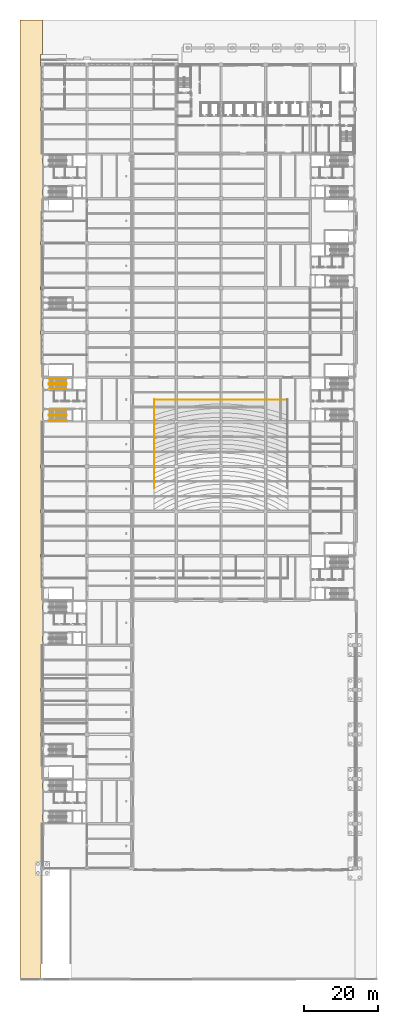
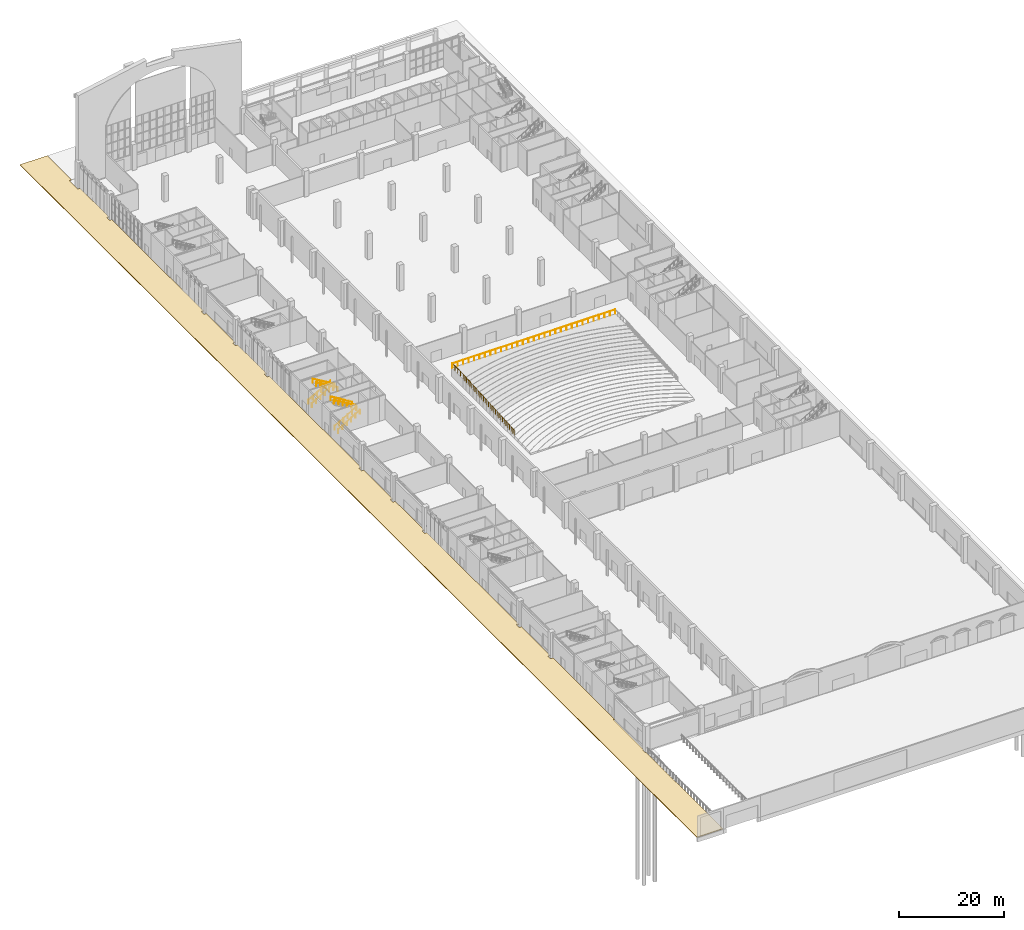
# One storey, part 55 of 59: 10 railings, 1 covering.
"""IFC4 building model written with IfcOpenShell, lengths in metres."""

from ifc_helpers import new_model, si_unit, direction, frame, origin, origin_2d, place, context, subcontext, project, spatial, polyline, circle, outline, extrude, material, layer, layer_set, type_object, element, save


model = new_model("IFC4")

# Units and contexts
model_context = context("Model", 3, precision=1e-05, world=origin(), true_north=direction((0.0, 1.0)))
body_context = subcontext(model_context, "Body", "Model", "MODEL_VIEW")
ifc_project = project(units=[si_unit("LENGTHUNIT", "METRE"), si_unit("AREAUNIT", "SQUARE_METRE"), si_unit("VOLUMEUNIT", "CUBIC_METRE"), si_unit("PLANEANGLEUNIT", "RADIAN"), si_unit("MASSUNIT", "GRAM", prefix="KILO")], contexts=[model_context])

# Site, building, storey
site_placement = place(None, origin())
site = spatial("IfcSite", under=ifc_project, at=site_placement, CompositionType="ELEMENT")
building_placement = place(site_placement, origin())
building = spatial("IfcBuilding", under=site, at=building_placement, Name="Lilac Gate Convention Centre", CompositionType="ELEMENT")
storey_placement = place(building_placement, origin())
storey = spatial("IfcBuildingStorey", under=building, at=storey_placement, Name="L00", CompositionType="ELEMENT", Elevation=0.0)

# Covering
ifc_material_1 = material(Name="Concrete C30", Category="concrete")
ifc_layer = layer(ifc_material_1, 0.14990234375)
ifc_layer_set = layer_set([ifc_layer], Name="Concrete C30")
covering_type = type_object("IfcCoveringType", Name="Paving slab 150", PredefinedType="FLOORING", material=ifc_layer_set)
covering_placement = place(storey_placement, frame((0.0, 0.0, -0.14990234375)))
element("IfcCovering", 1, at=covering_placement, inside=storey, type_object=covering_type, Name="Lane paving west 1", PredefinedType="FLOORING", context=body_context, shape_type="SweptSolid", body=[
    extrude(outline(polyline([(6.0, 42.0), (5.699951171875, 42.0), (5.699951171875, 30.5), (5.5, 30.5), (5.5, 29.5), (5.699951171875, 29.5), (5.699951171875, 0.304931640625), (0.0, 0.304931640625), (0.0, 258.0), (6.0, 258.0), (6.0, 248.699951171875), (5.5, 248.699951171875), (5.5, 245.5), (6.0, 245.5), (6.0, 234.5), (5.5, 234.5), (5.5, 233.5), (6.0, 233.5), (6.0, 198.5), (5.5, 198.5), (5.5, 197.5), (6.0, 197.5), (6.0, 186.5), (5.5, 186.5), (5.5, 185.5), (6.0, 185.5), (6.0, 174.5), (5.5, 174.5), (5.5, 173.5), (6.0, 173.5), (6.0, 138.5), (5.5, 138.5), (5.5, 137.5), (6.0, 137.5), (6.0, 126.5), (5.5, 126.5), (5.5, 125.5), (6.0, 125.5), (6.0, 114.5), (5.5, 114.5), (5.5, 113.5), (6.0, 113.5), (6.0, 78.5), (5.5, 78.5), (5.5, 77.5), (6.0, 77.5), (6.0, 66.5), (5.5, 66.5), (5.5, 65.5), (6.0, 65.5), (6.0, 42.0)])), origin(), (0.0, 0.0, 1.0), 0.14990234375),
])

# Railings
ifc_material_2 = material(Name="Stainless steel 304", Category="steel")
railing_type_1 = type_object("IfcRailingType", Name="Stair handrail 900", PredefinedType="HANDRAIL", material=ifc_material_2)
for number, where, name in (
    (2, (7.800048828125, 150.35009765625, 0.166748046875), "Stair handrail W3A"),
    (3, (7.800048828125, 151.64990234375, 0.166748046875), "Stair handrail W3A"),
):
    element("IfcRailing", number, at=place(storey_placement, frame(where)), inside=storey, type_object=railing_type_1, Name=name, PredefinedType="HANDRAIL", context=body_context, shape_type="SweptSolid", body=[
        extrude(circle(Radius=0.02392578125, at=origin_2d()), frame((0.0, 0.0, 0.8759765625), z_axis=(0.859299802514, 0.0, 0.511472237174), x_axis=(0.0, 1.0, 0.0)), (0.0, 0.0, 1.0), 5.539306640625),
        extrude(circle(Radius=0.02099609375, at=origin_2d()), origin(), (0.0, 0.0, 1.0), 0.851806640625),
        extrude(circle(Radius=0.02099609375, at=origin_2d()), frame((0.951904296875, 0.0, 0.566650390625)), (0.0, 0.0, 1.0), 0.851806640625),
        extrude(circle(Radius=0.02099609375, at=origin_2d()), frame((1.904052734375, 0.0, 1.13330078125)), (0.0, 0.0, 1.0), 0.851806640625),
        extrude(circle(Radius=0.02099609375, at=origin_2d()), frame((2.85595703125, 0.0, 1.699951171875)), (0.0, 0.0, 1.0), 0.851806640625),
        extrude(circle(Radius=0.02099609375, at=origin_2d()), frame((3.80810546875, 0.0, 2.2666015625)), (0.0, 0.0, 1.0), 0.851806640625),
        extrude(circle(Radius=0.02099609375, at=origin_2d()), frame((4.760009765625, 0.0, 2.833251953125)), (0.0, 0.0, 1.0), 0.851806640625),
    ])
for number, where, name in (
    (4, (12.56005859375, 151.949951171875, 3.166748046875), "Stair handrail W3A"),
    (5, (12.56005859375, 153.25, 3.166748046875), "Stair handrail W3A"),
):
    element("IfcRailing", number, at=place(storey_placement, frame(where)), inside=storey, type_object=railing_type_1, Name=name, PredefinedType="HANDRAIL", context=body_context, shape_type="SweptSolid", body=[
        extrude(circle(Radius=0.02392578125, at=origin_2d()), frame((0.0, 0.0, 0.8759765625), z_axis=(-0.859299802514, 0.0, 0.511472237174), x_axis=(0.0, -1.0, 0.0)), (0.0, 0.0, 1.0), 5.539306640625),
        extrude(circle(Radius=0.02099609375, at=origin_2d()), origin(), (0.0, 0.0, 1.0), 0.851806640625),
        extrude(circle(Radius=0.02099609375, at=origin_2d()), frame((-0.951904296875, 0.0, 0.566650390625)), (0.0, 0.0, 1.0), 0.851806640625),
        extrude(circle(Radius=0.02099609375, at=origin_2d()), frame((-1.904052734375, 0.0, 1.13330078125)), (0.0, 0.0, 1.0), 0.851806640625),
        extrude(circle(Radius=0.02099609375, at=origin_2d()), frame((-2.85595703125, 0.0, 1.699951171875)), (0.0, 0.0, 1.0), 0.851806640625),
        extrude(circle(Radius=0.02099609375, at=origin_2d()), frame((-3.80810546875, 0.0, 2.2666015625)), (0.0, 0.0, 1.0), 0.851806640625),
        extrude(circle(Radius=0.02099609375, at=origin_2d()), frame((-4.760009765625, 0.0, 2.833251953125)), (0.0, 0.0, 1.0), 0.851806640625),
    ])
for number, where, name in (
    (6, (7.800048828125, 160.35009765625, 0.166748046875), "Stair handrail W3B"),
    (7, (7.800048828125, 161.64990234375, 0.166748046875), "Stair handrail W3B"),
):
    element("IfcRailing", number, at=place(storey_placement, frame(where)), inside=storey, type_object=railing_type_1, Name=name, PredefinedType="HANDRAIL", context=body_context, shape_type="SweptSolid", body=[
        extrude(circle(Radius=0.02392578125, at=origin_2d()), frame((0.0, 0.0, 0.8759765625), z_axis=(0.859299802514, 0.0, 0.511472237174), x_axis=(0.0, 1.0, 0.0)), (0.0, 0.0, 1.0), 5.539306640625),
        extrude(circle(Radius=0.02099609375, at=origin_2d()), origin(), (0.0, 0.0, 1.0), 0.851806640625),
        extrude(circle(Radius=0.02099609375, at=origin_2d()), frame((0.951904296875, 0.0, 0.566650390625)), (0.0, 0.0, 1.0), 0.851806640625),
        extrude(circle(Radius=0.02099609375, at=origin_2d()), frame((1.904052734375, 0.0, 1.13330078125)), (0.0, 0.0, 1.0), 0.851806640625),
        extrude(circle(Radius=0.02099609375, at=origin_2d()), frame((2.85595703125, 0.0, 1.699951171875)), (0.0, 0.0, 1.0), 0.851806640625),
        extrude(circle(Radius=0.02099609375, at=origin_2d()), frame((3.80810546875, 0.0, 2.2666015625)), (0.0, 0.0, 1.0), 0.851806640625),
        extrude(circle(Radius=0.02099609375, at=origin_2d()), frame((4.760009765625, 0.0, 2.833251953125)), (0.0, 0.0, 1.0), 0.851806640625),
    ])
for number, where, name in (
    (8, (12.56005859375, 158.75, 3.166748046875), "Stair handrail W3B"),
    (9, (12.56005859375, 160.050048828125, 3.166748046875), "Stair handrail W3B"),
):
    element("IfcRailing", number, at=place(storey_placement, frame(where)), inside=storey, type_object=railing_type_1, Name=name, PredefinedType="HANDRAIL", context=body_context, shape_type="SweptSolid", body=[
        extrude(circle(Radius=0.02392578125, at=origin_2d()), frame((0.0, 0.0, 0.8759765625), z_axis=(-0.859299802514, 0.0, 0.511472237174), x_axis=(0.0, -1.0, 0.0)), (0.0, 0.0, 1.0), 5.539306640625),
        extrude(circle(Radius=0.02099609375, at=origin_2d()), origin(), (0.0, 0.0, 1.0), 0.851806640625),
        extrude(circle(Radius=0.02099609375, at=origin_2d()), frame((-0.951904296875, 0.0, 0.566650390625)), (0.0, 0.0, 1.0), 0.851806640625),
        extrude(circle(Radius=0.02099609375, at=origin_2d()), frame((-1.904052734375, 0.0, 1.13330078125)), (0.0, 0.0, 1.0), 0.851806640625),
        extrude(circle(Radius=0.02099609375, at=origin_2d()), frame((-2.85595703125, 0.0, 1.699951171875)), (0.0, 0.0, 1.0), 0.851806640625),
        extrude(circle(Radius=0.02099609375, at=origin_2d()), frame((-3.80810546875, 0.0, 2.2666015625)), (0.0, 0.0, 1.0), 0.851806640625),
        extrude(circle(Radius=0.02099609375, at=origin_2d()), frame((-4.760009765625, 0.0, 2.833251953125)), (0.0, 0.0, 1.0), 0.851806640625),
    ])
ifc_material_3 = material(Name="Steel Q355B", Category="steel")
railing_type_2 = type_object("IfcRailingType", Name="Stalls guard 1100", PredefinedType="GUARDRAIL", material=ifc_material_3)
railing_1_placement = place(storey_placement, frame((36.10009765625, 132.1416015625, 0.800048828125)))
element("IfcRailing", 10, at=railing_1_placement, inside=storey, type_object=railing_type_2, Name="GD1 stalls west guard", PredefinedType="GUARDRAIL", context=body_context, shape_type="SweptSolid", body=[
    extrude(circle(Radius=0.02392578125, at=origin_2d()), frame((0.0, 0.0, 1.076171875), z_axis=(0.0, 1.0, 0.0), x_axis=(-1.0, 0.0, 0.0)), (0.0, 0.0, 1.0), 1.3779296875),
    extrude(circle(Radius=0.02392578125, at=origin_2d()), frame((0.0, 1.3779296875, 1.076171875), z_axis=(0.0, 0.0, 1.0), x_axis=(1.0, 0.0, 0.0)), (0.0, 0.0, 1.0), 0.079833984375),
    extrude(circle(Radius=0.02392578125, at=origin_2d()), frame((0.0, 1.3779296875, 1.15576171875), z_axis=(0.0, 1.0, 0.0), x_axis=(-1.0, 0.0, 0.0)), (0.0, 0.0, 1.0), 1.343017578125),
    extrude(circle(Radius=0.02392578125, at=origin_2d()), frame((0.0, 2.720947265625, 1.15576171875), z_axis=(0.0, 0.0, 1.0), x_axis=(1.0, 0.0, 0.0)), (0.0, 0.0, 1.0), 0.080078125),
    extrude(circle(Radius=0.02392578125, at=origin_2d()), frame((0.0, 2.720947265625, 1.23583984375), z_axis=(0.0, 1.0, 0.0), x_axis=(-1.0, 0.0, 0.0)), (0.0, 0.0, 1.0), 1.343017578125),
    extrude(circle(Radius=0.02392578125, at=origin_2d()), frame((0.0, 4.06396484375, 1.23583984375), z_axis=(0.0, 0.0, 1.0), x_axis=(1.0, 0.0, 0.0)), (0.0, 0.0, 1.0), 0.080078125),
    extrude(circle(Radius=0.02392578125, at=origin_2d()), frame((0.0, 4.06396484375, 1.31591796875), z_axis=(0.0, 1.0, 0.0), x_axis=(-1.0, 0.0, 0.0)), (0.0, 0.0, 1.0), 1.34326171875),
    extrude(circle(Radius=0.02392578125, at=origin_2d()), frame((0.0, 5.4072265625, 1.31591796875), z_axis=(0.0, 0.0, 1.0), x_axis=(1.0, 0.0, 0.0)), (0.0, 0.0, 1.0), 0.080078125),
    extrude(circle(Radius=0.02392578125, at=origin_2d()), frame((0.0, 5.4072265625, 1.39599609375), z_axis=(0.0, 1.0, 0.0), x_axis=(-1.0, 0.0, 0.0)), (0.0, 0.0, 1.0), 1.31884765625),
    extrude(circle(Radius=0.02392578125, at=origin_2d()), frame((0.0, 6.72607421875, 1.39599609375), z_axis=(0.0, 0.0, 1.0), x_axis=(1.0, 0.0, 0.0)), (0.0, 0.0, 1.0), 0.079833984375),
    extrude(circle(Radius=0.02392578125, at=origin_2d()), frame((0.0, 6.72607421875, 1.47607421875), z_axis=(0.0, 1.0, 0.0), x_axis=(-1.0, 0.0, 0.0)), (0.0, 0.0, 1.0), 1.312255859375),
    extrude(circle(Radius=0.02392578125, at=origin_2d()), frame((0.0, 8.038330078125, 1.47607421875), z_axis=(0.0, 0.0, 1.0), x_axis=(1.0, 0.0, 0.0)), (0.0, 0.0, 1.0), 0.080078125),
    extrude(circle(Radius=0.02392578125, at=origin_2d()), frame((0.0, 8.038330078125, 1.55615234375), z_axis=(0.0, 1.0, 0.0), x_axis=(-1.0, 0.0, 0.0)), (0.0, 0.0, 1.0), 1.312255859375),
    extrude(circle(Radius=0.02392578125, at=origin_2d()), frame((0.0, 9.3505859375, 1.55615234375), z_axis=(0.0, 0.0, 1.0), x_axis=(1.0, 0.0, 0.0)), (0.0, 0.0, 1.0), 0.080078125),
    extrude(circle(Radius=0.02392578125, at=origin_2d()), frame((0.0, 9.3505859375, 1.63623046875), z_axis=(0.0, 1.0, 0.0), x_axis=(-1.0, 0.0, 0.0)), (0.0, 0.0, 1.0), 1.312255859375),
    extrude(circle(Radius=0.02392578125, at=origin_2d()), frame((0.0, 10.662841796875, 1.63623046875), z_axis=(0.0, 0.0, 1.0), x_axis=(1.0, 0.0, 0.0)), (0.0, 0.0, 1.0), 0.079833984375),
    extrude(circle(Radius=0.02392578125, at=origin_2d()), frame((0.0, 10.662841796875, 1.7158203125), z_axis=(0.0, 1.0, 0.0), x_axis=(-1.0, 0.0, 0.0)), (0.0, 0.0, 1.0), 1.2939453125),
    extrude(circle(Radius=0.02392578125, at=origin_2d()), frame((0.0, 11.956787109375, 1.7158203125), z_axis=(0.0, 0.0, 1.0), x_axis=(1.0, 0.0, 0.0)), (0.0, 0.0, 1.0), 0.080078125),
    extrude(circle(Radius=0.02392578125, at=origin_2d()), frame((0.0, 11.956787109375, 1.7958984375), z_axis=(0.0, 1.0, 0.0), x_axis=(-1.0, 0.0, 0.0)), (0.0, 0.0, 1.0), 1.285888671875),
    extrude(circle(Radius=0.02392578125, at=origin_2d()), frame((0.0, 13.24267578125, 1.7958984375), z_axis=(0.0, 0.0, 1.0), x_axis=(1.0, 0.0, 0.0)), (0.0, 0.0, 1.0), 0.080078125),
    extrude(circle(Radius=0.02392578125, at=origin_2d()), frame((0.0, 13.24267578125, 1.8759765625), z_axis=(0.0, 1.0, 0.0), x_axis=(-1.0, 0.0, 0.0)), (0.0, 0.0, 1.0), 1.285888671875),
    extrude(circle(Radius=0.02392578125, at=origin_2d()), frame((0.0, 14.528564453125, 1.8759765625), z_axis=(0.0, 0.0, 1.0), x_axis=(1.0, 0.0, 0.0)), (0.0, 0.0, 1.0), 0.079833984375),
    extrude(circle(Radius=0.02392578125, at=origin_2d()), frame((0.0, 14.528564453125, 1.9560546875), z_axis=(0.0, 1.0, 0.0), x_axis=(-1.0, 0.0, 0.0)), (0.0, 0.0, 1.0), 1.28564453125),
    extrude(circle(Radius=0.02392578125, at=origin_2d()), frame((0.0, 15.814208984375, 1.9560546875), z_axis=(0.0, 0.0, 1.0), x_axis=(1.0, 0.0, 0.0)), (0.0, 0.0, 1.0), 0.080078125),
    extrude(circle(Radius=0.02392578125, at=origin_2d()), frame((0.0, 15.814208984375, 2.0361328125), z_axis=(0.0, 1.0, 0.0), x_axis=(-1.0, 0.0, 0.0)), (0.0, 0.0, 1.0), 1.285888671875),
    extrude(circle(Radius=0.02392578125, at=origin_2d()), frame((0.0, 17.10009765625, 2.0361328125), z_axis=(0.0, 0.0, 1.0), x_axis=(1.0, 0.0, 0.0)), (0.0, 0.0, 1.0), 0.080078125),
    extrude(circle(Radius=0.02392578125, at=origin_2d()), frame((0.0, 17.10009765625, 2.1162109375), z_axis=(0.0, 1.0, 0.0), x_axis=(-1.0, 0.0, 0.0)), (0.0, 0.0, 1.0), 1.277099609375),
    extrude(circle(Radius=0.02392578125, at=origin_2d()), frame((0.0, 18.377197265625, 2.1162109375), z_axis=(0.0, 0.0, 1.0), x_axis=(1.0, 0.0, 0.0)), (0.0, 0.0, 1.0), 0.079833984375),
    extrude(circle(Radius=0.02392578125, at=origin_2d()), frame((0.0, 18.377197265625, 2.19580078125), z_axis=(0.0, 1.0, 0.0), x_axis=(-1.0, 0.0, 0.0)), (0.0, 0.0, 1.0), 1.263427734375),
    extrude(circle(Radius=0.02392578125, at=origin_2d()), frame((0.0, 19.640625, 2.19580078125), z_axis=(0.0, 0.0, 1.0), x_axis=(1.0, 0.0, 0.0)), (0.0, 0.0, 1.0), 0.080078125),
    extrude(circle(Radius=0.02392578125, at=origin_2d()), frame((0.0, 19.640625, 2.27587890625), z_axis=(0.0, 1.0, 0.0), x_axis=(-1.0, 0.0, 0.0)), (0.0, 0.0, 1.0), 4.2177734375),
    extrude(circle(Radius=0.02099609375, at=origin_2d()), origin(), (0.0, 0.0, 1.0), 1.052001953125),
    extrude(circle(Radius=0.02099609375, at=origin_2d()), frame((0.0, 0.68896484375, 0.0)), (0.0, 0.0, 1.0), 1.052001953125),
    extrude(circle(Radius=0.02099609375, at=origin_2d()), frame((0.0, 1.3779296875, 0.0)), (0.0, 0.0, 1.0), 1.052001953125),
    extrude(circle(Radius=0.02099609375, at=origin_2d()), frame((0.0, 1.3779296875, 0.079833984375)), (0.0, 0.0, 1.0), 1.052001953125),
    extrude(circle(Radius=0.02099609375, at=origin_2d()), frame((0.0, 2.04931640625, 0.079833984375)), (0.0, 0.0, 1.0), 1.052001953125),
    extrude(circle(Radius=0.02099609375, at=origin_2d()), frame((0.0, 2.720947265625, 0.079833984375)), (0.0, 0.0, 1.0), 1.052001953125),
    extrude(circle(Radius=0.02099609375, at=origin_2d()), frame((0.0, 2.720947265625, 0.159912109375)), (0.0, 0.0, 1.0), 1.052001953125),
    extrude(circle(Radius=0.02099609375, at=origin_2d()), frame((0.0, 3.392578125, 0.159912109375)), (0.0, 0.0, 1.0), 1.052001953125),
    extrude(circle(Radius=0.02099609375, at=origin_2d()), frame((0.0, 4.06396484375, 0.159912109375)), (0.0, 0.0, 1.0), 1.052001953125),
    extrude(circle(Radius=0.02099609375, at=origin_2d()), frame((0.0, 4.06396484375, 0.239990234375)), (0.0, 0.0, 1.0), 1.052001953125),
    extrude(circle(Radius=0.02099609375, at=origin_2d()), frame((0.0, 4.735595703125, 0.239990234375)), (0.0, 0.0, 1.0), 1.052001953125),
    extrude(circle(Radius=0.02099609375, at=origin_2d()), frame((0.0, 5.4072265625, 0.239990234375)), (0.0, 0.0, 1.0), 1.052001953125),
    extrude(circle(Radius=0.02099609375, at=origin_2d()), frame((0.0, 5.4072265625, 0.320068359375)), (0.0, 0.0, 1.0), 1.052001953125),
    extrude(circle(Radius=0.02099609375, at=origin_2d()), frame((0.0, 6.066650390625, 0.320068359375)), (0.0, 0.0, 1.0), 1.052001953125),
    extrude(circle(Radius=0.02099609375, at=origin_2d()), frame((0.0, 6.72607421875, 0.320068359375)), (0.0, 0.0, 1.0), 1.052001953125),
    extrude(circle(Radius=0.02099609375, at=origin_2d()), frame((0.0, 6.72607421875, 0.39990234375)), (0.0, 0.0, 1.0), 1.052001953125),
    extrude(circle(Radius=0.02099609375, at=origin_2d()), frame((0.0, 7.38232421875, 0.39990234375)), (0.0, 0.0, 1.0), 1.052001953125),
    extrude(circle(Radius=0.02099609375, at=origin_2d()), frame((0.0, 8.038330078125, 0.39990234375)), (0.0, 0.0, 1.0), 1.052001953125),
    extrude(circle(Radius=0.02099609375, at=origin_2d()), frame((0.0, 8.038330078125, 0.47998046875)), (0.0, 0.0, 1.0), 1.052001953125),
    extrude(circle(Radius=0.02099609375, at=origin_2d()), frame((0.0, 8.6943359375, 0.47998046875)), (0.0, 0.0, 1.0), 1.052001953125),
    extrude(circle(Radius=0.02099609375, at=origin_2d()), frame((0.0, 9.3505859375, 0.47998046875)), (0.0, 0.0, 1.0), 1.052001953125),
    extrude(circle(Radius=0.02099609375, at=origin_2d()), frame((0.0, 9.3505859375, 0.56005859375)), (0.0, 0.0, 1.0), 1.052001953125),
    extrude(circle(Radius=0.02099609375, at=origin_2d()), frame((0.0, 10.0068359375, 0.56005859375)), (0.0, 0.0, 1.0), 1.052001953125),
    extrude(circle(Radius=0.02099609375, at=origin_2d()), frame((0.0, 10.662841796875, 0.56005859375)), (0.0, 0.0, 1.0), 1.052001953125),
    extrude(circle(Radius=0.02099609375, at=origin_2d()), frame((0.0, 10.662841796875, 0.639892578125)), (0.0, 0.0, 1.0), 1.052001953125),
    extrude(circle(Radius=0.02099609375, at=origin_2d()), frame((0.0, 11.309814453125, 0.639892578125)), (0.0, 0.0, 1.0), 1.052001953125),
    extrude(circle(Radius=0.02099609375, at=origin_2d()), frame((0.0, 11.956787109375, 0.639892578125)), (0.0, 0.0, 1.0), 1.052001953125),
    extrude(circle(Radius=0.02099609375, at=origin_2d()), frame((0.0, 11.956787109375, 0.719970703125)), (0.0, 0.0, 1.0), 1.052001953125),
    extrude(circle(Radius=0.02099609375, at=origin_2d()), frame((0.0, 12.599609375, 0.719970703125)), (0.0, 0.0, 1.0), 1.052001953125),
    extrude(circle(Radius=0.02099609375, at=origin_2d()), frame((0.0, 13.24267578125, 0.719970703125)), (0.0, 0.0, 1.0), 1.052001953125),
    extrude(circle(Radius=0.02099609375, at=origin_2d()), frame((0.0, 13.24267578125, 0.800048828125)), (0.0, 0.0, 1.0), 1.052001953125),
    extrude(circle(Radius=0.02099609375, at=origin_2d()), frame((0.0, 13.8857421875, 0.800048828125)), (0.0, 0.0, 1.0), 1.052001953125),
    extrude(circle(Radius=0.02099609375, at=origin_2d()), frame((0.0, 14.528564453125, 0.800048828125)), (0.0, 0.0, 1.0), 1.052001953125),
    extrude(circle(Radius=0.02099609375, at=origin_2d()), frame((0.0, 14.528564453125, 0.8798828125)), (0.0, 0.0, 1.0), 1.052001953125),
    extrude(circle(Radius=0.02099609375, at=origin_2d()), frame((0.0, 15.17138671875, 0.8798828125)), (0.0, 0.0, 1.0), 1.052001953125),
    extrude(circle(Radius=0.02099609375, at=origin_2d()), frame((0.0, 15.814208984375, 0.8798828125)), (0.0, 0.0, 1.0), 1.052001953125),
    extrude(circle(Radius=0.02099609375, at=origin_2d()), frame((0.0, 15.814208984375, 0.9599609375)), (0.0, 0.0, 1.0), 1.052001953125),
    extrude(circle(Radius=0.02099609375, at=origin_2d()), frame((0.0, 16.45703125, 0.9599609375)), (0.0, 0.0, 1.0), 1.052001953125),
    extrude(circle(Radius=0.02099609375, at=origin_2d()), frame((0.0, 17.10009765625, 0.9599609375)), (0.0, 0.0, 1.0), 1.052001953125),
    extrude(circle(Radius=0.02099609375, at=origin_2d()), frame((0.0, 17.10009765625, 1.0400390625)), (0.0, 0.0, 1.0), 1.052001953125),
    extrude(circle(Radius=0.02099609375, at=origin_2d()), frame((0.0, 17.73876953125, 1.0400390625)), (0.0, 0.0, 1.0), 1.052001953125),
    extrude(circle(Radius=0.02099609375, at=origin_2d()), frame((0.0, 18.377197265625, 1.0400390625)), (0.0, 0.0, 1.0), 1.052001953125),
    extrude(circle(Radius=0.02099609375, at=origin_2d()), frame((0.0, 18.377197265625, 1.119873046875)), (0.0, 0.0, 1.0), 1.052001953125),
    extrude(circle(Radius=0.02099609375, at=origin_2d()), frame((0.0, 19.0087890625, 1.119873046875)), (0.0, 0.0, 1.0), 1.052001953125),
    extrude(circle(Radius=0.02099609375, at=origin_2d()), frame((0.0, 19.640625, 1.119873046875)), (0.0, 0.0, 1.0), 1.052001953125),
    extrude(circle(Radius=0.02099609375, at=origin_2d()), frame((0.0, 19.640625, 1.199951171875)), (0.0, 0.0, 1.0), 1.052001953125),
    extrude(circle(Radius=0.02099609375, at=origin_2d()), frame((0.0, 20.695068359375, 1.199951171875)), (0.0, 0.0, 1.0), 1.052001953125),
    extrude(circle(Radius=0.02099609375, at=origin_2d()), frame((0.0, 21.74951171875, 1.199951171875)), (0.0, 0.0, 1.0), 1.052001953125),
    extrude(circle(Radius=0.02099609375, at=origin_2d()), frame((0.0, 22.803955078125, 1.199951171875)), (0.0, 0.0, 1.0), 1.052001953125),
    extrude(circle(Radius=0.02099609375, at=origin_2d()), frame((0.0, 23.8583984375, 1.199951171875)), (0.0, 0.0, 1.0), 1.052001953125),
])
railing_2_placement = place(storey_placement, frame((36.10009765625, 155.89990234375, 2.0)))
element("IfcRailing", 11, at=railing_2_placement, inside=storey, type_object=railing_type_2, Name="GD1 stalls rear guard", PredefinedType="GUARDRAIL", context=body_context, shape_type="SweptSolid", body=[
    extrude(circle(Radius=0.02392578125, at=origin_2d()), frame((0.0, 0.0, 1.076171875), z_axis=(1.0, 0.0, 0.0), x_axis=(0.0, 1.0, 0.0)), (0.0, 0.0, 1.0), 35.7998046875),
    extrude(circle(Radius=0.02099609375, at=origin_2d()), origin(), (0.0, 0.0, 1.0), 1.052001953125),
    extrude(circle(Radius=0.02099609375, at=origin_2d()), frame((1.193359375, 0.0, 0.0)), (0.0, 0.0, 1.0), 1.052001953125),
    extrude(circle(Radius=0.02099609375, at=origin_2d()), frame((2.38671875, 0.0, 0.0)), (0.0, 0.0, 1.0), 1.052001953125),
    extrude(circle(Radius=0.02099609375, at=origin_2d()), frame((3.580078125, 0.0, 0.0)), (0.0, 0.0, 1.0), 1.052001953125),
    extrude(circle(Radius=0.02099609375, at=origin_2d()), frame((4.773193359375, 0.0, 0.0)), (0.0, 0.0, 1.0), 1.052001953125),
    extrude(circle(Radius=0.02099609375, at=origin_2d()), frame((5.966552734375, 0.0, 0.0)), (0.0, 0.0, 1.0), 1.052001953125),
    extrude(circle(Radius=0.02099609375, at=origin_2d()), frame((7.159912109375, 0.0, 0.0)), (0.0, 0.0, 1.0), 1.052001953125),
    extrude(circle(Radius=0.02099609375, at=origin_2d()), frame((8.353271484375, 0.0, 0.0)), (0.0, 0.0, 1.0), 1.052001953125),
    extrude(circle(Radius=0.02099609375, at=origin_2d()), frame((9.546630859375, 0.0, 0.0)), (0.0, 0.0, 1.0), 1.052001953125),
    extrude(circle(Radius=0.02099609375, at=origin_2d()), frame((10.739990234375, 0.0, 0.0)), (0.0, 0.0, 1.0), 1.052001953125),
    extrude(circle(Radius=0.02099609375, at=origin_2d()), frame((11.933349609375, 0.0, 0.0)), (0.0, 0.0, 1.0), 1.052001953125),
    extrude(circle(Radius=0.02099609375, at=origin_2d()), frame((13.126708984375, 0.0, 0.0)), (0.0, 0.0, 1.0), 1.052001953125),
    extrude(circle(Radius=0.02099609375, at=origin_2d()), frame((14.31982421875, 0.0, 0.0)), (0.0, 0.0, 1.0), 1.052001953125),
    extrude(circle(Radius=0.02099609375, at=origin_2d()), frame((15.51318359375, 0.0, 0.0)), (0.0, 0.0, 1.0), 1.052001953125),
    extrude(circle(Radius=0.02099609375, at=origin_2d()), frame((16.70654296875, 0.0, 0.0)), (0.0, 0.0, 1.0), 1.052001953125),
    extrude(circle(Radius=0.02099609375, at=origin_2d()), frame((17.89990234375, 0.0, 0.0)), (0.0, 0.0, 1.0), 1.052001953125),
    extrude(circle(Radius=0.02099609375, at=origin_2d()), frame((19.09326171875, 0.0, 0.0)), (0.0, 0.0, 1.0), 1.052001953125),
    extrude(circle(Radius=0.02099609375, at=origin_2d()), frame((20.28662109375, 0.0, 0.0)), (0.0, 0.0, 1.0), 1.052001953125),
    extrude(circle(Radius=0.02099609375, at=origin_2d()), frame((21.47998046875, 0.0, 0.0)), (0.0, 0.0, 1.0), 1.052001953125),
    extrude(circle(Radius=0.02099609375, at=origin_2d()), frame((22.673095703125, 0.0, 0.0)), (0.0, 0.0, 1.0), 1.052001953125),
    extrude(circle(Radius=0.02099609375, at=origin_2d()), frame((23.866455078125, 0.0, 0.0)), (0.0, 0.0, 1.0), 1.052001953125),
    extrude(circle(Radius=0.02099609375, at=origin_2d()), frame((25.059814453125, 0.0, 0.0)), (0.0, 0.0, 1.0), 1.052001953125),
    extrude(circle(Radius=0.02099609375, at=origin_2d()), frame((26.253173828125, 0.0, 0.0)), (0.0, 0.0, 1.0), 1.052001953125),
    extrude(circle(Radius=0.02099609375, at=origin_2d()), frame((27.446533203125, 0.0, 0.0)), (0.0, 0.0, 1.0), 1.052001953125),
    extrude(circle(Radius=0.02099609375, at=origin_2d()), frame((28.639892578125, 0.0, 0.0)), (0.0, 0.0, 1.0), 1.052001953125),
    extrude(circle(Radius=0.02099609375, at=origin_2d()), frame((29.833251953125, 0.0, 0.0)), (0.0, 0.0, 1.0), 1.052001953125),
    extrude(circle(Radius=0.02099609375, at=origin_2d()), frame((31.026611328125, 0.0, 0.0)), (0.0, 0.0, 1.0), 1.052001953125),
    extrude(circle(Radius=0.02099609375, at=origin_2d()), frame((32.2197265625, 0.0, 0.0)), (0.0, 0.0, 1.0), 1.052001953125),
    extrude(circle(Radius=0.02099609375, at=origin_2d()), frame((33.4130859375, 0.0, 0.0)), (0.0, 0.0, 1.0), 1.052001953125),
    extrude(circle(Radius=0.02099609375, at=origin_2d()), frame((34.6064453125, 0.0, 0.0)), (0.0, 0.0, 1.0), 1.052001953125),
    extrude(circle(Radius=0.02099609375, at=origin_2d()), frame((35.7998046875, 0.0, 0.0)), (0.0, 0.0, 1.0), 1.052001953125),
])

save(model, "model.ifc")
